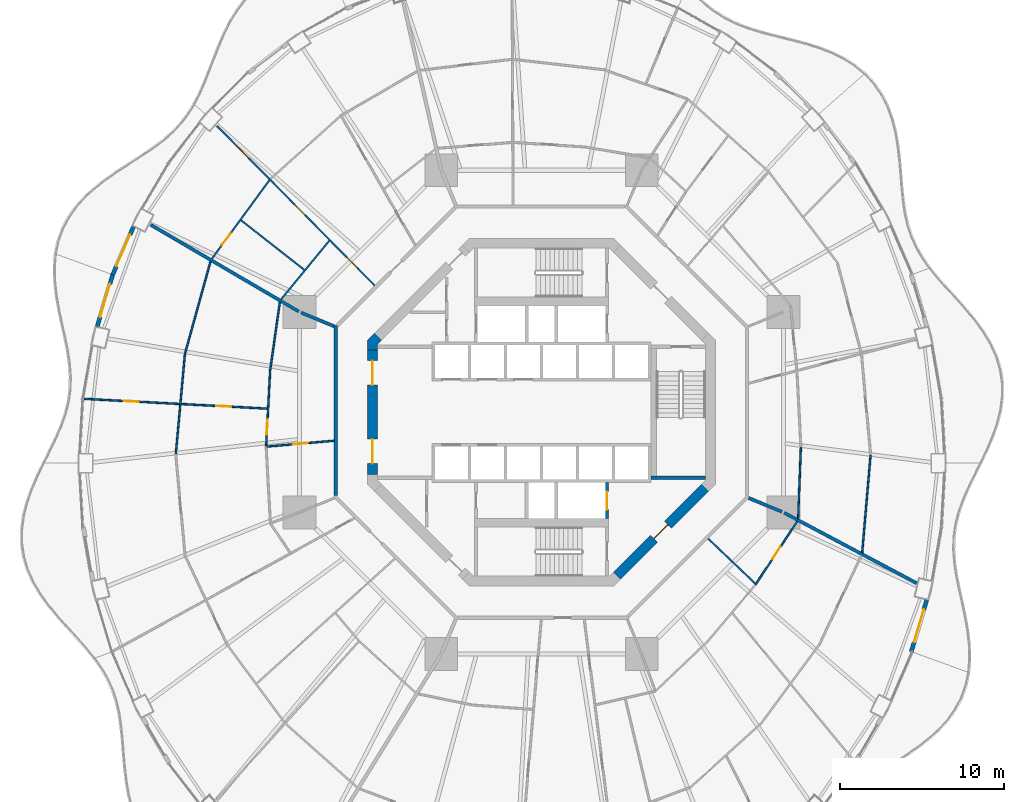
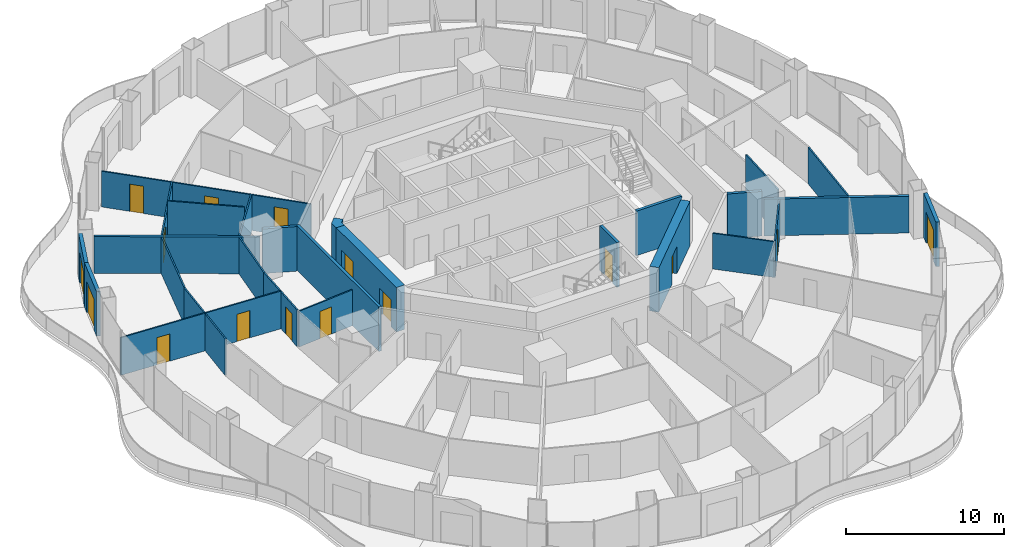
# One storey, part 14 of 20: 27 walls, 16 doors, 16 openings.
"""IFC4 building model written with IfcOpenShell, lengths in metres."""

from ifc_helpers import new_model, si_unit, direction, frame, frame_2d, origin, place, context, subcontext, project, spatial, polyline, rectangle, outline, extrude, material, layer, layer_set, type_object, element, fill, save


model = new_model("IFC4")

# Units and contexts
model_context = context("Model", 3, precision=1e-05, world=origin(), true_north=direction((0.0, 1.0)))
body_context = subcontext(model_context, "Body", "Model", "MODEL_VIEW")
ifc_project = project(units=[si_unit("LENGTHUNIT", "METRE"), si_unit("AREAUNIT", "SQUARE_METRE"), si_unit("VOLUMEUNIT", "CUBIC_METRE"), si_unit("PLANEANGLEUNIT", "RADIAN"), si_unit("MASSUNIT", "GRAM", prefix="KILO")], contexts=[model_context])

# Site, building, storey
site_placement = place(None, origin())
site = spatial("IfcSite", under=ifc_project, at=site_placement, CompositionType="ELEMENT")
building_placement = place(site_placement, origin())
building = spatial("IfcBuilding", under=site, at=building_placement, Name="Nagisa Residences", CompositionType="ELEMENT")
storey_placement = place(building_placement, frame((0.0, 0.0, 141.800048828125)))
storey = spatial("IfcBuildingStorey", under=building, at=storey_placement, Name="L35", CompositionType="ELEMENT", Elevation=141.800048828125)

# Walls
ifc_material_1 = material(Name="Gypsum board on steel studs", Category="steel")
ifc_layer_1 = layer(ifc_material_1, 0.199951171875)
ifc_layer_set_1 = layer_set([ifc_layer_1], Name="Apartment compartment wall EI60 200")
wall_type_1 = type_object("IfcWallType", Name="Apartment compartment wall EI60 200", PredefinedType="PARTITIONING", material=ifc_layer_set_1)
wall_1_placement = place(storey_placement, frame((-12.6572265625, 5.24267578125, 0.0), z_axis=(0.0, 0.0, 1.0), x_axis=(-0.923869415315, 0.382707856524, 0.0)))
element("IfcWall", 1, at=wall_1_placement, inside=storey, type_object=wall_type_1, Name="wall:L35:u02", PredefinedType="PARTITIONING", context=body_context, shape_type="SweptSolid", body=[
    extrude(rectangle(XDim=2.2001953125, YDim=0.199951171875, at=frame_2d((1.10009765625, 0.0))), origin(), (0.0, 0.0, 1.0), 3.43994140625),
])
wall_2_placement = place(storey_placement, frame((-14.8251953125, 6.148193359375, 0.0), z_axis=(0.0, 0.0, 1.0), x_axis=(-0.862852031662, 0.505456597006, 0.0)))
element("IfcWall", 2, at=wall_2_placement, inside=storey, type_object=wall_type_1, Name="wall:L35:u03", PredefinedType="PARTITIONING", context=body_context, shape_type="SweptSolid", body=[
    extrude(rectangle(XDim=10.487060546875, YDim=0.199951171875, at=frame_2d((5.24365234375, 0.0))), origin(), (0.0, 0.0, 1.0), 2.827880859375),
])
wall_3_placement = place(storey_placement, frame((12.6572265625, -5.24267578125, 0.0), z_axis=(0.0, 0.0, 1.0), x_axis=(0.923846436004, -0.382763324632, 0.0)))
element("IfcWall", 3, at=wall_3_placement, inside=storey, type_object=wall_type_1, Name="wall:L35:u06", PredefinedType="PARTITIONING", context=body_context, shape_type="SweptSolid", body=[
    extrude(rectangle(XDim=2.200439453125, YDim=0.199951171875, at=frame_2d((1.10009765625, 0.0))), origin(), (0.0, 0.0, 1.0), 3.43994140625),
])
wall_4_placement = place(storey_placement, frame((14.826171875, -6.146484375, 0.0), z_axis=(0.0, 0.0, 1.0), x_axis=(0.883012998471, -0.469348532044, 0.0)))
element("IfcWall", 4, at=wall_4_placement, inside=storey, type_object=wall_type_1, Name="wall:L35:u07", PredefinedType="PARTITIONING", context=body_context, shape_type="SweptSolid", body=[
    extrude(rectangle(XDim=9.172119140625, YDim=0.199951171875, at=frame_2d((4.5859375, 0.0))), origin(), (0.0, 0.0, 1.0), 2.827880859375),
])
ifc_material_2 = material(Name="Gypsum board on steel studs", Category="steel")
ifc_layer_2 = layer(ifc_material_2, 0.199951171875)
ifc_layer_set_2 = layer_set([ifc_layer_2], Name="Apartment entry wall EI60 200")
wall_type_2 = type_object("IfcWallType", Name="Apartment entry wall EI60 200", PredefinedType="PARTITIONING", material=ifc_layer_set_2)
wall_5_placement = place(storey_placement, frame((-12.564697265625, 5.304443359375, 0.0), z_axis=(0.0, 0.0, 1.0), x_axis=(0.0, -1.0, 0.0)))
element("IfcWall", 5, at=wall_5_placement, inside=storey, type_object=wall_type_2, Name="wall:L35:u12", PredefinedType="PARTITIONING", context=body_context, shape_type="SweptSolid", body=[
    extrude(rectangle(XDim=10.408935546875, YDim=0.199951171875, at=frame_2d((5.20458984375, 0.0))), origin(), (0.0, 0.0, 1.0), 3.43994140625),
])
ifc_material_3 = material(Name="Gypsum board on steel studs", Category="steel")
ifc_layer_3 = layer(ifc_material_3, 0.10009765625)
ifc_layer_set_3 = layer_set([ifc_layer_3], Name="Apartment partition 100")
wall_type_3 = type_object("IfcWallType", Name="Apartment partition 100", PredefinedType="PARTITIONING", material=ifc_layer_set_3)
wall_6_placement = place(storey_placement, frame((15.848876953125, -2.158203125, 0.0), z_axis=(0.0, 0.0, 1.0), x_axis=(-0.03838348155, -0.999263082648, 0.0)))
element("IfcWall", 6, at=wall_6_placement, inside=storey, type_object=wall_type_3, Name="wall:L35:u17", PredefinedType="PARTITIONING", context=body_context, shape_type="SweptSolid", body=[
    extrude(rectangle(XDim=4.34423828125, YDim=0.10009765625, at=frame_2d((2.172119140625, 0.0))), origin(), (0.0, 0.0, 1.0), 3.43994140625),
])
wall_7_placement = place(storey_placement, frame((20.10595703125, -2.64208984375, 0.0), z_axis=(0.0, 0.0, 1.0), x_axis=(-0.085694058383, -0.996321498492, 0.0)))
element("IfcWall", 7, at=wall_7_placement, inside=storey, type_object=wall_type_3, Name="wall:L35:u19", PredefinedType="PARTITIONING", context=body_context, shape_type="SweptSolid", body=[
    extrude(rectangle(XDim=5.957275390625, YDim=0.10009765625, at=frame_2d((2.978515625, 0.0))), origin(), (0.0, 0.0, 1.0), 2.827880859375),
])

# Wall, openings, doors
wall_8_placement = place(storey_placement, frame((-10.181640625, 7.72900390625, 0.0), z_axis=(0.0, 0.0, 1.0), x_axis=(-0.702930219229, 0.7112588185, 0.0)))
wall_8 = element("IfcWall", 8, at=wall_8_placement, inside=storey, type_object=wall_type_3, Name="wall:L35:u46", PredefinedType="PARTITIONING", context=body_context, shape_type="SweptSolid", body=[
    extrude(rectangle(XDim=13.71875, YDim=0.10009765625, at=frame_2d((6.859375, 0.0))), origin(), (0.0, 0.0, 1.0), 2.755859375),
])
opening_1_placement = place(wall_8_placement, frame((1.50732421875, 0.0, 0.0)))
opening_1 = element("IfcOpeningElement", 9, at=opening_1_placement, cuts=wall_8, Name="Opening L35-U47", PredefinedType="OPENING", context=body_context, shape_type="SweptSolid", body=[
    extrude(rectangle(XDim=0.89990234375, YDim=2.10009765625, at=frame_2d((0.449951171875, 1.050048828125))), frame((0.0, 0.06005859375, 0.0), z_axis=(0.0, -1.0, 0.0), x_axis=(1.0, 0.0, 0.0)), (0.0, 0.0, 1.0), 0.1201171875),
])
opening_2_placement = place(wall_8_placement, frame((6.066650390625, 0.0, 0.0)))
opening_2 = element("IfcOpeningElement", 10, at=opening_2_placement, cuts=wall_8, Name="Opening L35-U49", PredefinedType="OPENING", context=body_context, shape_type="SweptSolid", body=[
    extrude(rectangle(XDim=0.89990234375, YDim=2.10009765625, at=frame_2d((0.449951171875, 1.050048828125))), frame((0.0, 0.06005859375, 0.0), z_axis=(0.0, -1.0, 0.0), x_axis=(1.0, 0.0, 0.0)), (0.0, 0.0, 1.0), 0.1201171875),
])
opening_3_placement = place(wall_8_placement, frame((10.96875, 0.0, 0.0)))
opening_3 = element("IfcOpeningElement", 11, at=opening_3_placement, cuts=wall_8, Name="Opening L35-U51", PredefinedType="OPENING", context=body_context, shape_type="SweptSolid", body=[
    extrude(rectangle(XDim=0.89990234375, YDim=2.10009765625, at=frame_2d((0.449951171875, 1.050048828125))), frame((0.0, 0.06005859375, 0.0), z_axis=(0.0, -1.0, 0.0), x_axis=(1.0, 0.0, 0.0)), (0.0, 0.0, 1.0), 0.1201171875),
])
ifc_material_4 = material(Name="Timber door set", Category="wood")
door_type_1 = type_object("IfcDoorType", Name="Apartment door 900x2100", OperationType="NOTDEFINED", PredefinedType="DOOR", material=ifc_material_4)
door_1_placement = place(opening_1_placement, origin())
door_1 = element("IfcDoor", 12, at=door_1_placement, inside=storey, type_object=door_type_1, Name="Door to store, Apartment 35D", OperationType="SINGLE_SWING_LEFT", OverallHeight=2.10009765625, OverallWidth=0.89990234375, PredefinedType="DOOR", context=body_context, shape_type="SweptSolid", body=[
    extrude(rectangle(XDim=0.89990234375, YDim=2.10009765625, at=frame_2d((0.449951171875, 1.050048828125))), frame((0.0, 0.02490234375, 0.0), z_axis=(0.0, -1.0, 0.0), x_axis=(1.0, 0.0, 0.0)), (0.0, 0.0, 1.0), 0.050048828125),
])
fill(opening_1, door_1)
door_2_placement = place(opening_2_placement, origin())
door_2 = element("IfcDoor", 13, at=door_2_placement, inside=storey, type_object=door_type_1, Name="Door to family bathroom, Apartment 35D", OperationType="SINGLE_SWING_LEFT", OverallHeight=2.10009765625, OverallWidth=0.89990234375, PredefinedType="DOOR", context=body_context, shape_type="SweptSolid", body=[
    extrude(rectangle(XDim=0.89990234375, YDim=2.10009765625, at=frame_2d((0.449951171875, 1.050048828125))), frame((0.0, 0.02490234375, 0.0), z_axis=(0.0, -1.0, 0.0), x_axis=(1.0, 0.0, 0.0)), (0.0, 0.0, 1.0), 0.050048828125),
])
fill(opening_2, door_2)
door_3_placement = place(opening_3_placement, origin())
door_3 = element("IfcDoor", 14, at=door_3_placement, inside=storey, type_object=door_type_1, Name="Door to bedroom, Apartment 35D", OperationType="SINGLE_SWING_LEFT", OverallHeight=2.10009765625, OverallWidth=0.89990234375, PredefinedType="DOOR", context=body_context, shape_type="SweptSolid", body=[
    extrude(rectangle(XDim=0.89990234375, YDim=2.10009765625, at=frame_2d((0.449951171875, 1.050048828125))), frame((0.0, 0.02490234375, 0.0), z_axis=(0.0, -1.0, 0.0), x_axis=(1.0, 0.0, 0.0)), (0.0, 0.0, 1.0), 0.050048828125),
])
fill(opening_3, door_3)

# Wall
wall_9_placement = place(storey_placement, frame((-12.965087890625, 10.474609375, 0.0), z_axis=(0.0, 0.0, 1.0), x_axis=(-0.634943961338, -0.772558195841, 0.0)))
element("IfcWall", 15, at=wall_9_placement, inside=storey, type_object=wall_type_3, Name="wall:L35:u47", PredefinedType="PARTITIONING", context=body_context, shape_type="SweptSolid", body=[
    extrude(rectangle(XDim=4.632080078125, YDim=0.10009765625, at=frame_2d((2.31591796875, 0.0))), origin(), (0.0, 0.0, 1.0), 2.827880859375),
])

# Wall, opening, door
wall_10_placement = place(storey_placement, frame((-16.620849609375, 14.17431640625, 0.0), z_axis=(0.0, 0.0, 1.0), x_axis=(-0.590674917338, -0.806909624449, 0.0)))
wall_10 = element("IfcWall", 16, at=wall_10_placement, inside=storey, type_object=wall_type_3, Name="wall:L35:u48", PredefinedType="PARTITIONING", context=body_context, shape_type="SweptSolid", body=[
    extrude(rectangle(XDim=5.948974609375, YDim=0.10009765625, at=frame_2d((2.974609375, 0.0))), origin(), (0.0, 0.0, 1.0), 2.827880859375),
])
opening_4_placement = place(wall_10_placement, frame((4.0244140625, 0.0, 0.0)))
opening_4 = element("IfcOpeningElement", 17, at=opening_4_placement, cuts=wall_10, Name="Opening L35-U52", PredefinedType="OPENING", context=body_context, shape_type="SweptSolid", body=[
    extrude(rectangle(XDim=0.89990234375, YDim=2.10009765625, at=frame_2d((0.449951171875, 1.050048828125))), frame((0.0, 0.06005859375, 0.0), z_axis=(0.0, -1.0, 0.0), x_axis=(1.0, 0.0, 0.0)), (0.0, 0.0, 1.0), 0.1201171875),
])
door_4_placement = place(opening_4_placement, origin())
door_4 = element("IfcDoor", 18, at=door_4_placement, inside=storey, type_object=door_type_1, Name="Door to en-suite bathroom, Apartment 35D", OperationType="SINGLE_SWING_RIGHT", OverallHeight=2.10009765625, OverallWidth=0.89990234375, PredefinedType="DOOR", context=body_context, shape_type="SweptSolid", body=[
    extrude(rectangle(XDim=0.89990234375, YDim=2.10009765625, at=frame_2d((0.449951171875, 1.050048828125))), frame((0.0, 0.02490234375, 0.0), z_axis=(0.0, -1.0, 0.0), x_axis=(1.0, 0.0, 0.0)), (0.0, 0.0, 1.0), 0.050048828125),
])
fill(opening_4, door_4)

# Walls
wall_11_placement = place(storey_placement, frame((-14.490966796875, 8.69677734375, 0.0), z_axis=(0.0, 0.0, 1.0), x_axis=(-0.787139479951, 0.616775031193, 0.0)))
element("IfcWall", 19, at=wall_11_placement, inside=storey, type_object=wall_type_3, Name="wall:L35:u49", PredefinedType="PARTITIONING", context=body_context, shape_type="SweptSolid", body=[
    extrude(rectangle(XDim=4.90673828125, YDim=0.10009765625, at=frame_2d((2.453369140625, 0.0))), origin(), (0.0, 0.0, 1.0), 3.43994140625),
])
wall_12_placement = place(storey_placement, frame((-15.98388671875, 6.7197265625, 0.0), z_axis=(0.0, 0.0, 1.0), x_axis=(-0.140684869512, -0.990054426529, 0.0)))
element("IfcWall", 20, at=wall_12_placement, inside=storey, type_object=wall_type_3, Name="wall:L35:u50", PredefinedType="PARTITIONING", context=body_context, shape_type="SweptSolid", body=[
    extrude(rectangle(XDim=4.177001953125, YDim=0.10009765625, at=frame_2d((2.08837890625, 0.0))), origin(), (0.0, 0.0, 1.0), 2.827880859375),
])
wall_13_placement = place(storey_placement, frame((-20.220703125, 9.19677734375, 0.0), z_axis=(0.0, 0.0, 1.0), x_axis=(-0.267398009191, -0.963586168789, 0.0)))
element("IfcWall", 21, at=wall_13_placement, inside=storey, type_object=wall_type_3, Name="wall:L35:u51", PredefinedType="PARTITIONING", context=body_context, shape_type="SweptSolid", body=[
    extrude(rectangle(XDim=5.78759765625, YDim=0.10009765625, at=frame_2d((2.893798828125, 0.0))), origin(), (0.0, 0.0, 1.0), 2.827880859375),
])

# Wall, opening, door
wall_14_placement = place(storey_placement, frame((-16.575927734375, 2.584716796875, 0.0), z_axis=(0.0, 0.0, 1.0), x_axis=(-0.052509224895, -0.998620439056, 0.0)))
wall_14 = element("IfcWall", 22, at=wall_14_placement, inside=storey, type_object=wall_type_3, Name="wall:L35:u52", PredefinedType="PARTITIONING", context=body_context, shape_type="SweptSolid", body=[
    extrude(rectangle(XDim=4.6494140625, YDim=0.10009765625, at=frame_2d((2.32470703125, 0.0))), origin(), (0.0, 0.0, 1.0), 2.827880859375),
])
opening_5_placement = place(wall_14_placement, frame((3.06201171875, 0.0, 0.0)))
opening_5 = element("IfcOpeningElement", 23, at=opening_5_placement, cuts=wall_14, Name="Opening L35-U10", PredefinedType="OPENING", context=body_context, shape_type="SweptSolid", body=[
    extrude(rectangle(XDim=0.89990234375, YDim=2.10009765625, at=frame_2d((0.449951171875, 1.050048828125))), frame((0.0, 0.06005859375, 0.0), z_axis=(0.0, -1.0, 0.0), x_axis=(1.0, 0.0, 0.0)), (0.0, 0.0, 1.0), 0.1201171875),
])
door_5_placement = place(opening_5_placement, origin())
door_5 = element("IfcDoor", 24, at=door_5_placement, inside=storey, type_object=door_type_1, Name="Door to laundry, Apartment 35A", OperationType="SINGLE_SWING_RIGHT", OverallHeight=2.10009765625, OverallWidth=0.89990234375, PredefinedType="DOOR", context=body_context, shape_type="SweptSolid", body=[
    extrude(rectangle(XDim=0.89990234375, YDim=2.10009765625, at=frame_2d((0.449951171875, 1.050048828125))), frame((0.0, 0.02490234375, 0.0), z_axis=(0.0, -1.0, 0.0), x_axis=(1.0, 0.0, 0.0)), (0.0, 0.0, 1.0), 0.050048828125),
])
fill(opening_5, door_5)

# Wall
wall_15_placement = place(storey_placement, frame((-21.777099609375, 3.621337890625, 0.0), z_axis=(0.0, 0.0, 1.0), x_axis=(-0.090606877484, -0.995886737412, 0.0)))
element("IfcWall", 25, at=wall_15_placement, inside=storey, type_object=wall_type_3, Name="wall:L35:u53", PredefinedType="PARTITIONING", context=body_context, shape_type="SweptSolid", body=[
    extrude(rectangle(XDim=6.189208984375, YDim=0.10009765625, at=frame_2d((3.0947265625, 0.0))), origin(), (0.0, 0.0, 1.0), 2.827880859375),
])

# Wall, openings, doors
wall_16_placement = place(storey_placement, frame((-16.75048828125, 0.2158203125, 0.0), z_axis=(0.0, 0.0, 1.0), x_axis=(-0.998572054207, 0.053421461579, 0.0)))
wall_16 = element("IfcWall", 26, at=wall_16_placement, inside=storey, type_object=wall_type_3, Name="wall:L35:u54", PredefinedType="PARTITIONING", context=body_context, shape_type="SweptSolid", body=[
    extrude(rectangle(XDim=11.333740234375, YDim=0.10009765625, at=frame_2d((5.6669921875, 0.0))), origin(), (0.0, 0.0, 1.0), 2.905029296875),
])
opening_6_placement = place(wall_16_placement, frame((2.209228515625, 0.0, 0.0)))
opening_6 = element("IfcOpeningElement", 27, at=opening_6_placement, cuts=wall_16, Name="Opening L35-U12", PredefinedType="OPENING", context=body_context, shape_type="SweptSolid", body=[
    extrude(rectangle(XDim=0.89990234375, YDim=2.10009765625, at=frame_2d((0.449951171875, 1.050048828125))), frame((0.0, 0.06005859375, 0.0), z_axis=(0.0, -1.0, 0.0), x_axis=(1.0, 0.0, 0.0)), (0.0, 0.0, 1.0), 0.1201171875),
])
opening_7_placement = place(wall_16_placement, frame((7.876220703125, 0.0, 0.0)))
opening_7 = element("IfcOpeningElement", 28, at=opening_7_placement, cuts=wall_16, Name="Opening L35-U13", PredefinedType="OPENING", context=body_context, shape_type="SweptSolid", body=[
    extrude(rectangle(XDim=0.89990234375, YDim=2.10009765625, at=frame_2d((0.449951171875, 1.050048828125))), frame((0.0, 0.06005859375, 0.0), z_axis=(0.0, -1.0, 0.0), x_axis=(1.0, 0.0, 0.0)), (0.0, 0.0, 1.0), 0.1201171875),
])
door_6_placement = place(opening_6_placement, frame((0.89990234375, 0.0, 0.0), x_axis=(-1.0, 0.0, 0.0)))
door_6 = element("IfcDoor", 29, at=door_6_placement, inside=storey, type_object=door_type_1, Name="Door to kitchen, Apartment 35A", OperationType="SINGLE_SWING_LEFT", OverallHeight=2.10009765625, OverallWidth=0.89990234375, PredefinedType="DOOR", context=body_context, shape_type="SweptSolid", body=[
    extrude(rectangle(XDim=0.89990234375, YDim=2.10009765625, at=frame_2d((0.449951171875, 1.050048828125))), frame((0.0, 0.02490234375, 0.0), z_axis=(0.0, -1.0, 0.0), x_axis=(1.0, 0.0, 0.0)), (0.0, 0.0, 1.0), 0.050048828125),
])
fill(opening_6, door_6)
door_7_placement = place(opening_7_placement, frame((0.89990234375, 0.0, 0.0), x_axis=(-1.0, 0.0, 0.0)))
door_7 = element("IfcDoor", 30, at=door_7_placement, inside=storey, type_object=door_type_1, Name="Door to master bedroom, Apartment 35A", OperationType="SINGLE_SWING_RIGHT", OverallHeight=2.10009765625, OverallWidth=0.89990234375, PredefinedType="DOOR", context=body_context, shape_type="SweptSolid", body=[
    extrude(rectangle(XDim=0.89990234375, YDim=2.10009765625, at=frame_2d((0.449951171875, 1.050048828125))), frame((0.0, 0.02490234375, 0.0), z_axis=(0.0, -1.0, 0.0), x_axis=(1.0, 0.0, 0.0)), (0.0, 0.0, 1.0), 0.050048828125),
])
fill(opening_7, door_7)

# Wall, opening, door
wall_17_placement = place(storey_placement, frame((-12.664306640625, -1.74365234375, 0.0), z_axis=(0.0, 0.0, 1.0), x_axis=(-0.996181049379, -0.08731160781, 0.0)))
wall_17 = element("IfcWall", 31, at=wall_17_placement, inside=storey, type_object=wall_type_3, Name="wall:L35:u55", PredefinedType="PARTITIONING", context=body_context, shape_type="SweptSolid", body=[
    extrude(rectangle(XDim=4.12451171875, YDim=0.10009765625, at=frame_2d((2.062255859375, 0.0))), origin(), (0.0, 0.0, 1.0), 2.755859375),
])
opening_8_placement = place(wall_17_placement, frame((1.6123046875, 0.0, 0.0)))
opening_8 = element("IfcOpeningElement", 32, at=opening_8_placement, cuts=wall_17, Name="Opening L35-U11", PredefinedType="OPENING", context=body_context, shape_type="SweptSolid", body=[
    extrude(rectangle(XDim=0.89990234375, YDim=2.10009765625, at=frame_2d((0.449951171875, 1.050048828125))), frame((0.0, 0.06005859375, 0.0), z_axis=(0.0, -1.0, 0.0), x_axis=(1.0, 0.0, 0.0)), (0.0, 0.0, 1.0), 0.1201171875),
])
door_8_placement = place(opening_8_placement, origin())
door_8 = element("IfcDoor", 33, at=door_8_placement, inside=storey, type_object=door_type_1, Name="Door to store, Apartment 35A", OperationType="SINGLE_SWING_LEFT", OverallHeight=2.10009765625, OverallWidth=0.89990234375, PredefinedType="DOOR", context=body_context, shape_type="SweptSolid", body=[
    extrude(rectangle(XDim=0.89990234375, YDim=2.10009765625, at=frame_2d((0.449951171875, 1.050048828125))), frame((0.0, 0.02490234375, 0.0), z_axis=(0.0, -1.0, 0.0), x_axis=(1.0, 0.0, 0.0)), (0.0, 0.0, 1.0), 0.050048828125),
])
fill(opening_8, door_8)

# Wall
wall_18_placement = place(storey_placement, frame((10.18359375, -7.72705078125, 0.0), z_axis=(0.0, 0.0, 1.0), x_axis=(0.723654892782, -0.690162007179, 0.0)))
element("IfcWall", 34, at=wall_18_placement, inside=storey, type_object=wall_type_3, Name="wall:L35:u89", PredefinedType="PARTITIONING", context=body_context, shape_type="SweptSolid", body=[
    extrude(rectangle(XDim=3.97998046875, YDim=0.10009765625, at=frame_2d((1.989990234375, 0.0))), origin(), (0.0, 0.0, 1.0), 2.755859375),
])

# Wall, opening, door
wall_19_placement = place(storey_placement, frame((13.072265625, -10.550048828125, 0.0), z_axis=(0.0, 0.0, 1.0), x_axis=(0.550607247415, 0.834764433295, 0.0)))
wall_19 = element("IfcWall", 35, at=wall_19_placement, inside=storey, type_object=wall_type_3, Name="wall:L35:u90", PredefinedType="PARTITIONING", context=body_context, shape_type="SweptSolid", body=[
    extrude(rectangle(XDim=4.632568359375, YDim=0.10009765625, at=frame_2d((2.31640625, 0.0))), origin(), (0.0, 0.0, 1.0), 2.827880859375),
])
opening_9_placement = place(wall_19_placement, frame((1.891357421875, 0.0, 0.0)))
opening_9 = element("IfcOpeningElement", 36, at=opening_9_placement, cuts=wall_19, Name="Opening L35-U27", PredefinedType="OPENING", context=body_context, shape_type="SweptSolid", body=[
    extrude(rectangle(XDim=0.89990234375, YDim=2.10009765625, at=frame_2d((0.449951171875, 1.050048828125))), frame((0.0, 0.06005859375, 0.0), z_axis=(0.0, -1.0, 0.0), x_axis=(1.0, 0.0, 0.0)), (0.0, 0.0, 1.0), 0.1201171875),
])
door_9_placement = place(opening_9_placement, origin())
door_9 = element("IfcDoor", 37, at=door_9_placement, inside=storey, type_object=door_type_1, Name="Door to laundry, Apartment 35B", OperationType="SINGLE_SWING_LEFT", OverallHeight=2.10009765625, OverallWidth=0.89990234375, PredefinedType="DOOR", context=body_context, shape_type="SweptSolid", body=[
    extrude(rectangle(XDim=0.89990234375, YDim=2.10009765625, at=frame_2d((0.449951171875, 1.050048828125))), frame((0.0, 0.02490234375, 0.0), z_axis=(0.0, -1.0, 0.0), x_axis=(1.0, 0.0, 0.0)), (0.0, 0.0, 1.0), 0.050048828125),
])
fill(opening_9, door_9)

ifc_material_5 = material(Name="Precast concrete C40/50", Category="concrete")
ifc_layer_4 = layer(ifc_material_5, 0.25)
ifc_layer_set_4 = layer_set([ifc_layer_4], Name="BALCONY DOOR WALL 250")
wall_type_4 = type_object("IfcWallType", Name="BALCONY DOOR WALL 250", PredefinedType="SOLIDWALL", material=ifc_layer_set_4)
wall_20_placement = place(storey_placement, frame((-26.200439453125, 8.3876953125, 0.0), z_axis=(0.0, 0.0, 1.0), x_axis=(0.397638954585, 0.917541967321, 0.0)))
wall_20 = element("IfcWall", 38, at=wall_20_placement, inside=storey, type_object=wall_type_4, Name="wall:L35:bay20", PredefinedType="SOLIDWALL", context=body_context, shape_type="SweptSolid", body=[
    extrude(rectangle(XDim=3.2607421875, YDim=0.25, at=frame_2d((1.63037109375, 0.0))), origin(), (0.0, 0.0, 1.0), 3.43994140625),
])
opening_10_placement = place(wall_20_placement, frame((0.580322265625, 0.0, 0.0)))
opening_10 = element("IfcOpeningElement", 39, at=opening_10_placement, cuts=wall_20, Name="Opening BD-L35-07", PredefinedType="OPENING", context=body_context, shape_type="SweptSolid", body=[
    extrude(rectangle(XDim=2.10009765625, YDim=2.39990234375, at=frame_2d((1.050048828125, 1.199951171875))), frame((0.0, 0.135009765625, 0.0), z_axis=(0.0, -1.0, 0.0), x_axis=(1.0, 0.0, 0.0)), (0.0, 0.0, 1.0), 0.27001953125),
])
ifc_material_6 = material(Name="Aluminium and clear glass", Category="aluminium")
door_type_2 = type_object("IfcDoorType", Name="BALCONY SLIDING DOOR 2100x2400", OperationType="SLIDING_TO_LEFT", PredefinedType="DOOR", material=ifc_material_6)
door_10_placement = place(opening_10_placement, origin())
door_10 = element("IfcDoor", 40, at=door_10_placement, inside=storey, type_object=door_type_2, Name="door:L35:bay20", OperationType="SLIDING_TO_LEFT", OverallHeight=2.39990234375, OverallWidth=2.10009765625, PredefinedType="DOOR", context=body_context, shape_type="SweptSolid", body=[
    extrude(rectangle(XDim=2.10009765625, YDim=2.39990234375, at=frame_2d((1.050048828125, 1.199951171875))), frame((0.0, 0.02490234375, 0.0), z_axis=(0.0, -1.0, 0.0), x_axis=(1.0, 0.0, 0.0)), (0.0, 0.0, 1.0), 0.050048828125),
])
fill(opening_10, door_10)

wall_21_placement = place(storey_placement, frame((-27.1396484375, 5.236572265625, 0.0), z_axis=(0.0, 0.0, 1.0), x_axis=(0.285909915381, 0.958256500258, 0.0)))
wall_21 = element("IfcWall", 41, at=wall_21_placement, inside=storey, type_object=wall_type_4, Name="wall:L35:bay21", PredefinedType="SOLIDWALL", context=body_context, shape_type="SweptSolid", body=[
    extrude(rectangle(XDim=3.302978515625, YDim=0.25, at=frame_2d((1.6513671875, 0.0))), origin(), (0.0, 0.0, 1.0), 3.43994140625),
])
opening_11_placement = place(wall_21_placement, frame((0.6015625, 0.0, 0.0)))
opening_11 = element("IfcOpeningElement", 42, at=opening_11_placement, cuts=wall_21, Name="Opening BD-L35-08", PredefinedType="OPENING", context=body_context, shape_type="SweptSolid", body=[
    extrude(rectangle(XDim=2.10009765625, YDim=2.39990234375, at=frame_2d((1.050048828125, 1.199951171875))), frame((0.0, 0.135009765625, 0.0), z_axis=(0.0, -1.0, 0.0), x_axis=(1.0, 0.0, 0.0)), (0.0, 0.0, 1.0), 0.27001953125),
])
door_11_placement = place(opening_11_placement, origin())
door_11 = element("IfcDoor", 43, at=door_11_placement, inside=storey, type_object=door_type_2, Name="door:L35:bay21", OperationType="SLIDING_TO_LEFT", OverallHeight=2.39990234375, OverallWidth=2.10009765625, PredefinedType="DOOR", context=body_context, shape_type="SweptSolid", body=[
    extrude(rectangle(XDim=2.10009765625, YDim=2.39990234375, at=frame_2d((1.050048828125, 1.199951171875))), frame((0.0, 0.02490234375, 0.0), z_axis=(0.0, -1.0, 0.0), x_axis=(1.0, 0.0, 0.0)), (0.0, 0.0, 1.0), 0.050048828125),
])
fill(opening_11, door_11)

wall_22_placement = place(storey_placement, frame((23.53955078125, -11.471923828125, 0.0), z_axis=(0.0, 0.0, 1.0), x_axis=(-0.285821792767, -0.958282788523, 0.0)))
wall_22 = element("IfcWall", 44, at=wall_22_placement, inside=storey, type_object=wall_type_4, Name="wall:L35:bay45", PredefinedType="SOLIDWALL", context=body_context, shape_type="SweptSolid", body=[
    extrude(rectangle(XDim=3.302978515625, YDim=0.25, at=frame_2d((1.6513671875, 0.0))), origin(), (0.0, 0.0, 1.0), 3.43994140625),
])
opening_12_placement = place(wall_22_placement, frame((0.6015625, 0.0, 0.0)))
opening_12 = element("IfcOpeningElement", 45, at=opening_12_placement, cuts=wall_22, Name="Opening BD-L35-16", PredefinedType="OPENING", context=body_context, shape_type="SweptSolid", body=[
    extrude(rectangle(XDim=2.10009765625, YDim=2.39990234375, at=frame_2d((1.050048828125, 1.199951171875))), frame((0.0, 0.135009765625, 0.0), z_axis=(0.0, -1.0, 0.0), x_axis=(1.0, 0.0, 0.0)), (0.0, 0.0, 1.0), 0.27001953125),
])
door_12_placement = place(opening_12_placement, origin())
door_12 = element("IfcDoor", 46, at=door_12_placement, inside=storey, type_object=door_type_2, Name="door:L35:bay45", OperationType="SLIDING_TO_LEFT", OverallHeight=2.39990234375, OverallWidth=2.10009765625, PredefinedType="DOOR", context=body_context, shape_type="SweptSolid", body=[
    extrude(rectangle(XDim=2.10009765625, YDim=2.39990234375, at=frame_2d((1.050048828125, 1.199951171875))), frame((0.0, 0.02490234375, 0.0), z_axis=(0.0, -1.0, 0.0), x_axis=(1.0, 0.0, 0.0)), (0.0, 0.0, 1.0), 0.050048828125),
])
fill(opening_12, door_12)

# Wall, openings, doors
ifc_material_7 = material(Name="Concrete C60", Category="concrete")
ifc_layer_5 = layer(ifc_material_7, 0.60009765625)
ifc_layer_set_5 = layer_set([ifc_layer_5], Name="Core shear wall 600")
wall_type_5 = type_object("IfcWallType", Name="Core shear wall 600", PredefinedType="SHEAR", material=ifc_layer_set_5)
wall_23_placement = place(storey_placement, frame((-10.32470703125, 3.80078125, 0.0), z_axis=(0.0, 0.0, 1.0), x_axis=(0.0, -1.0, 0.0)))
wall_23 = element("IfcWall", 47, at=wall_23_placement, inside=storey, type_object=wall_type_5, Name="wall:L35:core:flat4", PredefinedType="SHEAR", context=body_context, shape_type="SweptSolid", body=[
    extrude(rectangle(XDim=7.6015625, YDim=0.60009765625, at=frame_2d((3.80078125, 0.0))), origin(), (0.0, 0.0, 1.0), 3.43994140625),
])
opening_13_placement = place(wall_23_placement, frame((0.65087890625, 0.0, 0.0)))
opening_13 = element("IfcOpeningElement", 48, at=opening_13_placement, cuts=wall_23, Name="Opening L35-C18", PredefinedType="OPENING", context=body_context, shape_type="SweptSolid", body=[
    extrude(rectangle(XDim=1.5, YDim=2.10009765625, at=frame_2d((0.75, 1.050048828125))), frame((0.0, 0.31005859375, 0.0), z_axis=(0.0, -1.0, 0.0), x_axis=(1.0, 0.0, 0.0)), (0.0, 0.0, 1.0), 0.6201171875),
])
opening_14_placement = place(wall_23_placement, frame((5.450927734375, 0.0, 0.0)))
opening_14 = element("IfcOpeningElement", 49, at=opening_14_placement, cuts=wall_23, Name="Opening L35-C19", PredefinedType="OPENING", context=body_context, shape_type="SweptSolid", body=[
    extrude(rectangle(XDim=1.5, YDim=2.10009765625, at=frame_2d((0.75, 1.050048828125))), frame((0.0, 0.31005859375, 0.0), z_axis=(0.0, -1.0, 0.0), x_axis=(1.0, 0.0, 0.0)), (0.0, 0.0, 1.0), 0.6201171875),
])
ifc_material_8 = material(Name="Steel fire door", Category="steel")
door_type_3 = type_object("IfcDoorType", Name="Fire door EI60 1500x2100 double door single swing", OperationType="DOUBLE_DOOR_SINGLE_SWING", PredefinedType="DOOR", material=ifc_material_8)
door_13_placement = place(opening_13_placement, origin())
door_13 = element("IfcDoor", 50, at=door_13_placement, inside=storey, type_object=door_type_3, Name="Lift lobby door L35 1", OperationType="DOUBLE_DOOR_SINGLE_SWING", OverallHeight=2.10009765625, OverallWidth=1.5, PredefinedType="DOOR", context=body_context, shape_type="SweptSolid", body=[
    extrude(rectangle(XDim=1.5, YDim=2.10009765625, at=frame_2d((0.75, 1.050048828125))), frame((0.0, 0.02490234375, 0.0), z_axis=(0.0, -1.0, 0.0), x_axis=(1.0, 0.0, 0.0)), (0.0, 0.0, 1.0), 0.050048828125),
])
fill(opening_13, door_13)
door_14_placement = place(opening_14_placement, origin())
door_14 = element("IfcDoor", 51, at=door_14_placement, inside=storey, type_object=door_type_3, Name="Lift lobby door L35 2", OperationType="DOUBLE_DOOR_SINGLE_SWING", OverallHeight=2.10009765625, OverallWidth=1.5, PredefinedType="DOOR", context=body_context, shape_type="SweptSolid", body=[
    extrude(rectangle(XDim=1.5, YDim=2.10009765625, at=frame_2d((0.75, 1.050048828125))), frame((0.0, 0.02490234375, 0.0), z_axis=(0.0, -1.0, 0.0), x_axis=(1.0, 0.0, 0.0)), (0.0, 0.0, 1.0), 0.050048828125),
])
fill(opening_14, door_14)

# Wall, opening, door
wall_24_placement = place(storey_placement, frame((4.613037109375, -9.98828125, 0.0), z_axis=(0.0, 0.0, 1.0), x_axis=(0.707106781187, 0.707106781187, 0.0)))
wall_24 = element("IfcWall", 52, at=wall_24_placement, inside=storey, type_object=wall_type_5, Name="wall:L35:core:flat7", PredefinedType="SHEAR", context=body_context, shape_type="SweptSolid", body=[
    extrude(rectangle(XDim=7.601806640625, YDim=0.60009765625, at=frame_2d((3.80078125, 0.0))), origin(), (0.0, 0.0, 1.0), 3.43994140625),
])
opening_15_placement = place(wall_24_placement, frame((3.200927734375, 0.0, 0.0)))
opening_15 = element("IfcOpeningElement", 53, at=opening_15_placement, cuts=wall_24, Name="Opening L35-C17", PredefinedType="OPENING", context=body_context, shape_type="SweptSolid", body=[
    extrude(rectangle(XDim=1.199951171875, YDim=2.10009765625, at=frame_2d((0.60009765625, 1.050048828125))), frame((0.0, 0.31005859375, 0.0), z_axis=(0.0, -1.0, 0.0), x_axis=(1.0, 0.0, 0.0)), (0.0, 0.0, 1.0), 0.6201171875),
])
ifc_material_9 = material(Name="Steel fire door", Category="steel")
door_type_4 = type_object("IfcDoorType", Name="Fire door EI60 1200x2100 single swing", OperationType="NOTDEFINED", PredefinedType="DOOR", material=ifc_material_9)
door_15_placement = place(opening_15_placement, origin())
door_15 = element("IfcDoor", 54, at=door_15_placement, inside=storey, type_object=door_type_4, Name="Firefighting lobby 2 door L35", OperationType="SINGLE_SWING_RIGHT", OverallHeight=2.10009765625, OverallWidth=1.199951171875, PredefinedType="DOOR", context=body_context, shape_type="SweptSolid", body=[
    extrude(rectangle(XDim=1.199951171875, YDim=2.10009765625, at=frame_2d((0.60009765625, 1.050048828125))), frame((0.0, 0.02490234375, 0.0), z_axis=(0.0, -1.0, 0.0), x_axis=(1.0, 0.0, 0.0)), (0.0, 0.0, 1.0), 0.050048828125),
])
fill(opening_15, door_15)

# Wall
wall_25_placement = place(storey_placement, origin())
element("IfcWall", 55, at=wall_25_placement, inside=storey, type_object=wall_type_5, Name="wall:L35:core:pier3", PredefinedType="SHEAR", context=body_context, shape_type="SweptSolid", body=[
    extrude(outline(polyline([(-10.200439453125, 4.8251953125), (-9.776123046875, 4.40087890625), (-10.024658203125, 4.15234375), (-10.024658203125, 3.80078125), (-10.62451171875, 3.80078125), (-10.62451171875, 4.40087890625), (-10.200439453125, 4.8251953125)])), origin(), (0.0, 0.0, 1.0), 3.43994140625),
])

# Wall, opening, door
ifc_material_10 = material(Name="Concrete C60", Category="concrete")
ifc_layer_6 = layer(ifc_material_10, 0.199951171875)
ifc_layer_set_6 = layer_set([ifc_layer_6], Name="Lift shaft wall 200")
wall_type_6 = type_object("IfcWallType", Name="Lift shaft wall 200", PredefinedType="SOLIDWALL", material=ifc_layer_set_6)
wall_26_placement = place(storey_placement, frame((4.0, -6.5, 0.0), z_axis=(0.0, 0.0, 1.0), x_axis=(0.0, 1.0, 0.0)))
wall_26 = element("IfcWall", 56, at=wall_26_placement, inside=storey, type_object=wall_type_6, Name="wall:L35:Sb3", PredefinedType="SOLIDWALL", context=body_context, shape_type="SweptSolid", body=[
    extrude(rectangle(XDim=2.199951171875, YDim=0.199951171875, at=frame_2d((1.10009765625, 0.0))), origin(), (0.0, 0.0, 1.0), 3.43994140625),
])
opening_16_placement = place(wall_26_placement, frame((0.550048828125, 0.0, 0.0)))
opening_16 = element("IfcOpeningElement", 57, at=opening_16_placement, cuts=wall_26, Name="Opening L35-C07", PredefinedType="OPENING", context=body_context, shape_type="SweptSolid", body=[
    extrude(rectangle(XDim=1.10009765625, YDim=2.10009765625, at=frame_2d((0.550048828125, 1.050048828125))), frame((0.0, 0.10986328125, 0.0), z_axis=(0.0, -1.0, 0.0), x_axis=(1.0, 0.0, 0.0)), (0.0, 0.0, 1.0), 0.219970703125),
])
ifc_material_11 = material(Name="Stainless steel", Category="steel")
door_type_5 = type_object("IfcDoorType", Name="Lift landing door 1100x2100", OperationType="DOUBLE_DOOR_SLIDING", PredefinedType="DOOR", material=ifc_material_11)
door_16_placement = place(opening_16_placement, origin())
door_16 = element("IfcDoor", 58, at=door_16_placement, inside=storey, type_object=door_type_5, Name="Landing door FL2 L35", OperationType="DOUBLE_DOOR_SLIDING", OverallHeight=2.10009765625, OverallWidth=1.10009765625, PredefinedType="DOOR", context=body_context, shape_type="SweptSolid", body=[
    extrude(rectangle(XDim=1.10009765625, YDim=2.10009765625, at=frame_2d((0.550048828125, 1.050048828125))), frame((0.0, 0.02490234375, 0.0), z_axis=(0.0, -1.0, 0.0), x_axis=(1.0, 0.0, 0.0)), (0.0, 0.0, 1.0), 0.050048828125),
])
fill(opening_16, door_16)

# Wall
ifc_material_12 = material(Name="Concrete C60", Category="concrete")
ifc_layer_7 = layer(ifc_material_12, 0.199951171875)
ifc_layer_set_7 = layer_set([ifc_layer_7], Name="Stair enclosure wall 200")
wall_type_7 = type_object("IfcWallType", Name="Stair enclosure wall 200", PredefinedType="SOLIDWALL", material=ifc_layer_set_7)
wall_27_placement = place(storey_placement, origin())
element("IfcWall", 59, at=wall_27_placement, inside=storey, type_object=wall_type_7, Name="wall:L35:SE_s", PredefinedType="SOLIDWALL", context=body_context, shape_type="SweptSolid", body=[
    extrude(outline(polyline([(10.024658203125, -4.10009765625), (6.699951171875, -4.10009765625), (6.699951171875, -3.89990234375), (10.024658203125, -3.89990234375), (10.024658203125, -4.10009765625)])), origin(), (0.0, 0.0, 1.0), 3.43994140625),
])

save(model, "model.ifc")
